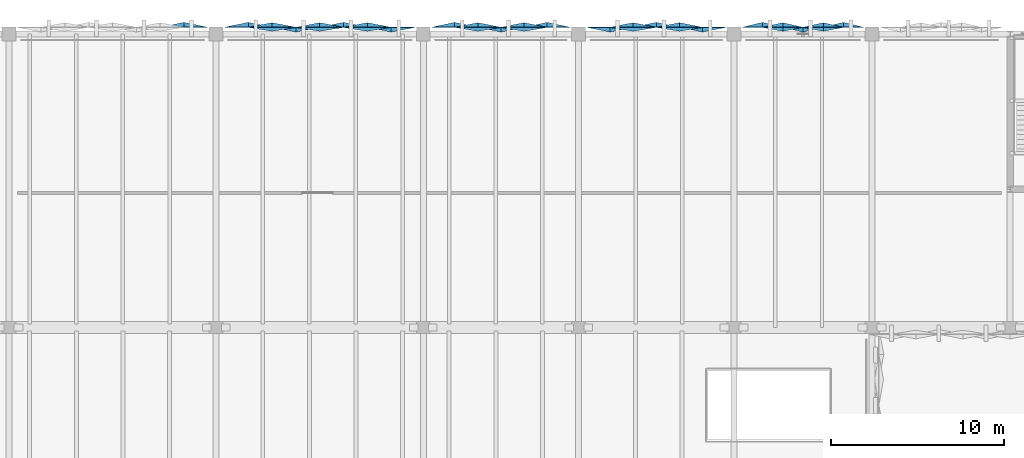
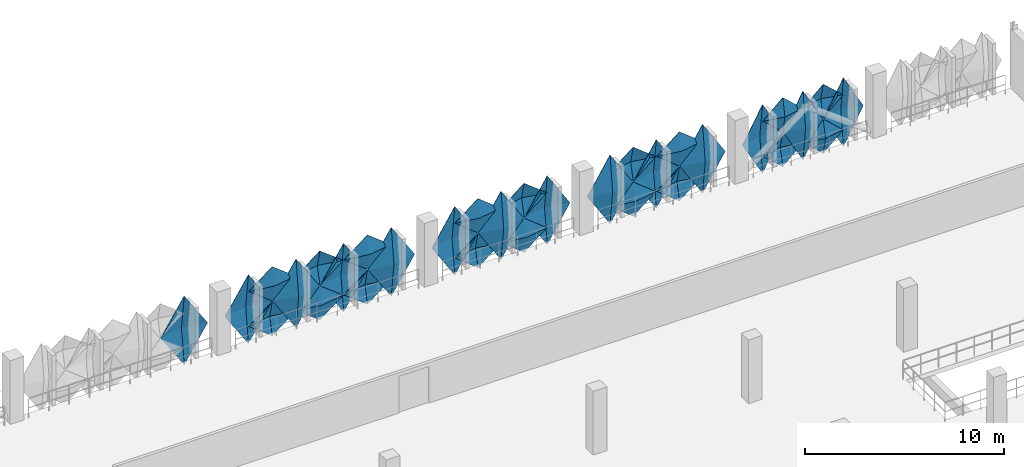
# One storey, part 80 of 96: 32 plates.
"""IFC4 building model written with IfcOpenShell, lengths in metres."""

from ifc_helpers import new_model, si_unit, derived_unit, direction, frame, origin, place, context, subcontext, project, spatial, polygons, material, layer, layer_set, type_object, element, save


model = new_model("IFC4")

# Units and contexts
model_context = context("Model", 3, precision=1e-05, world=origin(), true_north=direction((0.0, 1.0)))
body_context = subcontext(model_context, "Body", "Model", "MODEL_VIEW")
ifc_project = project(units=[si_unit("LENGTHUNIT", "METRE"), si_unit("AREAUNIT", "SQUARE_METRE"), si_unit("VOLUMEUNIT", "CUBIC_METRE"), si_unit("PLANEANGLEUNIT", "RADIAN"), si_unit("MASSUNIT", "GRAM", prefix="KILO"), si_unit("THERMODYNAMICTEMPERATUREUNIT", "KELVIN"), derived_unit("THERMALTRANSMITTANCEUNIT", [(si_unit("POWERUNIT", "WATT"), 1), (si_unit("AREAUNIT", "SQUARE_METRE"), -1), (si_unit("THERMODYNAMICTEMPERATUREUNIT", "KELVIN"), -1)])], contexts=[model_context])

# Site, building, storey
site_placement = place(None, origin())
site = spatial("IfcSite", under=ifc_project, at=site_placement, CompositionType="ELEMENT")
building_placement = place(site_placement, origin())
building = spatial("IfcBuilding", under=site, at=building_placement, Name="Haiyu Intermodal Mobility Hub", CompositionType="ELEMENT")
storey_placement = place(building_placement, frame((0.0, 0.0, 9.5)))
storey = spatial("IfcBuildingStorey", under=building, at=storey_placement, Name="L02", CompositionType="ELEMENT", Elevation=9.5)

# Plates
ifc_material = material(Name="Anodised aluminium 6063-T6", Category="aluminium")
ifc_layer_1 = layer(ifc_material, 0.01806640625)
ifc_layer_set_1 = layer_set([ifc_layer_1], Name="Anodised aluminium 6063-T6")
plate_type_1 = type_object("IfcPlateType", Name="PLT-FC01", PredefinedType="USERDEFINED", material=ifc_layer_set_1)
plate_1_placement = place(storey_placement, origin())
element("IfcPlate", 1, at=plate_1_placement, inside=storey, type_object=plate_type_1, Name="PLT-PYR-0394", ObjectType="FACADE CASSETTE", PredefinedType="USERDEFINED", context=body_context, shape_type="Tessellation", body=[
    polygons([(121.820068359375, 148.39990234375, -0.510009765625), (120.5, 148.39990234375, 1.60009765625), (121.820068359375, 148.39990234375, 3.7099609375), (123.139892578125, 148.39990234375, 1.60009765625), (121.820068359375, 148.679931640625, 1.60009765625), (121.820068359375, 148.3779296875, -0.510009765625), (120.5, 148.3779296875, 1.60009765625), (121.820068359375, 148.3779296875, 3.7099609375), (123.139892578125, 148.3779296875, 1.60009765625), (121.820068359375, 148.657958984375, 1.60009765625)], [[[1, 2, 5]], [[2, 3, 5]], [[3, 4, 5]], [[4, 1, 5]], [[7, 6, 10]], [[8, 7, 10]], [[9, 8, 10]], [[6, 9, 10]], [[1, 6, 7, 2]], [[2, 7, 8, 3]], [[3, 8, 9, 4]], [[4, 9, 6, 1]]], closed=True),
])
plate_2_placement = place(storey_placement, origin())
element("IfcPlate", 2, at=plate_2_placement, inside=storey, type_object=plate_type_1, Name="PLT-PYR-0464", ObjectType="FACADE CASSETTE", PredefinedType="USERDEFINED", context=body_context, shape_type="Tessellation", body=[
    polygons([(139.653076171875, 148.39990234375, -0.510009765625), (138.5, 148.39990234375, 1.60009765625), (139.653076171875, 148.39990234375, 3.7099609375), (140.806884765625, 148.39990234375, 1.60009765625), (139.653076171875, 148.679931640625, 1.60009765625), (139.653076171875, 148.3779296875, -0.510009765625), (138.5, 148.3779296875, 1.60009765625), (139.653076171875, 148.3779296875, 3.7099609375), (140.806884765625, 148.3779296875, 1.60009765625), (139.653076171875, 148.657958984375, 1.60009765625)], [[[1, 2, 5]], [[2, 3, 5]], [[3, 4, 5]], [[4, 1, 5]], [[7, 6, 10]], [[8, 7, 10]], [[9, 8, 10]], [[6, 9, 10]], [[1, 6, 7, 2]], [[2, 7, 8, 3]], [[3, 8, 9, 4]], [[4, 9, 6, 1]]], closed=True),
])
ifc_layer_2 = layer(ifc_material, 0.02001953125)
ifc_layer_set_2 = layer_set([ifc_layer_2], Name="Anodised aluminium 6063-T6")
plate_type_2 = type_object("IfcPlateType", Name="PLT-FC02", PredefinedType="USERDEFINED", material=ifc_layer_set_2)
plate_3_placement = place(storey_placement, origin())
element("IfcPlate", 3, at=plate_3_placement, inside=storey, type_object=plate_type_2, Name="PLT-PYR-0347", ObjectType="FACADE CASSETTE", PredefinedType="USERDEFINED", context=body_context, shape_type="Tessellation", body=[
    polygons([(112.6201171875, 148.39990234375, -0.510009765625), (111.260009765625, 148.39990234375, 1.60009765625), (112.6201171875, 148.39990234375, 3.7099609375), (113.97998046875, 148.39990234375, 1.60009765625), (112.6201171875, 148.139892578125, 1.60009765625), (112.6201171875, 148.3779296875, -0.510009765625), (111.260009765625, 148.3779296875, 1.60009765625), (112.6201171875, 148.3779296875, 3.7099609375), (113.97998046875, 148.3779296875, 1.60009765625), (112.6201171875, 148.117919921875, 1.60009765625)], [[[1, 2, 5]], [[2, 3, 5]], [[3, 4, 5]], [[4, 1, 5]], [[7, 6, 10]], [[8, 7, 10]], [[9, 8, 10]], [[6, 9, 10]], [[1, 6, 7, 2]], [[2, 7, 8, 3]], [[3, 8, 9, 4]], [[4, 9, 6, 1]]], closed=True),
])
plate_4_placement = place(storey_placement, origin())
element("IfcPlate", 4, at=plate_4_placement, inside=storey, type_object=plate_type_2, Name="PLT-PYR-0429", ObjectType="FACADE CASSETTE", PredefinedType="USERDEFINED", context=body_context, shape_type="Tessellation", body=[
    polygons([(130.820068359375, 148.39990234375, -0.510009765625), (129.5, 148.39990234375, 1.60009765625), (130.820068359375, 148.39990234375, 3.7099609375), (132.139892578125, 148.39990234375, 1.60009765625), (130.820068359375, 148.139892578125, 1.60009765625), (130.820068359375, 148.3779296875, -0.510009765625), (129.5, 148.3779296875, 1.60009765625), (130.820068359375, 148.3779296875, 3.7099609375), (132.139892578125, 148.3779296875, 1.60009765625), (130.820068359375, 148.117919921875, 1.60009765625)], [[[1, 2, 5]], [[2, 3, 5]], [[3, 4, 5]], [[4, 1, 5]], [[7, 6, 10]], [[8, 7, 10]], [[9, 8, 10]], [[6, 9, 10]], [[1, 6, 7, 2]], [[2, 7, 8, 3]], [[3, 8, 9, 4]], [[4, 9, 6, 1]]], closed=True),
])
ifc_layer_3 = layer(ifc_material, 0.01806640625)
ifc_layer_set_3 = layer_set([ifc_layer_3], Name="Anodised aluminium 6063-T6")
plate_type_3 = type_object("IfcPlateType", Name="PLT-FC03", PredefinedType="USERDEFINED", material=ifc_layer_set_3)
plate_5_placement = place(storey_placement, origin())
element("IfcPlate", 5, at=plate_5_placement, inside=storey, type_object=plate_type_3, Name="PLT-PYR-0350", ObjectType="FACADE CASSETTE", PredefinedType="USERDEFINED", context=body_context, shape_type="Tessellation", body=[
    polygons([(109.860107421875, 148.39990234375, -0.510009765625), (108.5, 148.39990234375, 1.60009765625), (109.860107421875, 148.39990234375, 3.7099609375), (111.219970703125, 148.39990234375, 1.60009765625), (109.860107421875, 148.679931640625, 1.60009765625), (109.860107421875, 148.3779296875, -0.510009765625), (108.5, 148.3779296875, 1.60009765625), (109.860107421875, 148.3779296875, 3.7099609375), (111.219970703125, 148.3779296875, 1.60009765625), (109.860107421875, 148.657958984375, 1.60009765625)], [[[1, 2, 5]], [[2, 3, 5]], [[3, 4, 5]], [[4, 1, 5]], [[7, 6, 10]], [[8, 7, 10]], [[9, 8, 10]], [[6, 9, 10]], [[1, 6, 7, 2]], [[2, 7, 8, 3]], [[3, 8, 9, 4]], [[4, 9, 6, 1]]], closed=True),
])
ifc_layer_4 = layer(ifc_material, 0.01806640625)
ifc_layer_set_4 = layer_set([ifc_layer_4], Name="Anodised aluminium 6063-T6")
plate_type_4 = type_object("IfcPlateType", Name="PLT-FC05", PredefinedType="USERDEFINED", material=ifc_layer_set_4)
plate_6_placement = place(storey_placement, origin())
element("IfcPlate", 6, at=plate_6_placement, inside=storey, type_object=plate_type_4, Name="PLT-PYR-0291", ObjectType="FACADE CASSETTE", PredefinedType="USERDEFINED", context=body_context, shape_type="Tessellation", body=[
    polygons([(106.139892578125, 148.39990234375, -0.510009765625), (104.780029296875, 148.39990234375, 1.60009765625), (106.139892578125, 148.39990234375, 3.7099609375), (107.5, 148.39990234375, 1.60009765625), (106.139892578125, 148.679931640625, 1.60009765625), (106.139892578125, 148.3779296875, -0.510009765625), (104.780029296875, 148.3779296875, 1.60009765625), (106.139892578125, 148.3779296875, 3.7099609375), (107.5, 148.3779296875, 1.60009765625), (106.139892578125, 148.657958984375, 1.60009765625)], [[[1, 2, 5]], [[2, 3, 5]], [[3, 4, 5]], [[4, 1, 5]], [[7, 6, 10]], [[8, 7, 10]], [[9, 8, 10]], [[6, 9, 10]], [[1, 6, 7, 2]], [[2, 7, 8, 3]], [[3, 8, 9, 4]], [[4, 9, 6, 1]]], closed=True),
])
plate_7_placement = place(storey_placement, origin())
element("IfcPlate", 7, at=plate_7_placement, inside=storey, type_object=plate_type_4, Name="PLT-PYR-0342", ObjectType="FACADE CASSETTE", PredefinedType="USERDEFINED", context=body_context, shape_type="Tessellation", body=[
    polygons([(116.760009765625, 148.39990234375, -0.52001953125), (115.39990234375, 148.39990234375, 0.530029296875), (116.760009765625, 148.39990234375, 1.580078125), (118.1201171875, 148.39990234375, 0.530029296875), (116.760009765625, 148.659912109375, 0.530029296875), (116.760009765625, 148.3779296875, -0.52001953125), (115.39990234375, 148.3779296875, 0.530029296875), (116.760009765625, 148.3779296875, 1.580078125), (118.1201171875, 148.3779296875, 0.530029296875), (116.760009765625, 148.637939453125, 0.530029296875)], [[[1, 2, 5]], [[2, 3, 5]], [[3, 4, 5]], [[4, 1, 5]], [[7, 6, 10]], [[8, 7, 10]], [[9, 8, 10]], [[6, 9, 10]], [[1, 6, 7, 2]], [[2, 7, 8, 3]], [[3, 8, 9, 4]], [[4, 9, 6, 1]]], closed=True),
])
plate_8_placement = place(storey_placement, origin())
element("IfcPlate", 8, at=plate_8_placement, inside=storey, type_object=plate_type_4, Name="PLT-PYR-0348", ObjectType="FACADE CASSETTE", PredefinedType="USERDEFINED", context=body_context, shape_type="Tessellation", body=[
    polygons([(111.239990234375, 148.39990234375, -0.52001953125), (109.8798828125, 148.39990234375, 0.530029296875), (111.239990234375, 148.39990234375, 1.580078125), (112.60009765625, 148.39990234375, 0.530029296875), (111.239990234375, 148.659912109375, 0.530029296875), (111.239990234375, 148.3779296875, -0.52001953125), (109.8798828125, 148.3779296875, 0.530029296875), (111.239990234375, 148.3779296875, 1.580078125), (112.60009765625, 148.3779296875, 0.530029296875), (111.239990234375, 148.637939453125, 0.530029296875)], [[[1, 2, 5]], [[2, 3, 5]], [[3, 4, 5]], [[4, 1, 5]], [[7, 6, 10]], [[8, 7, 10]], [[9, 8, 10]], [[6, 9, 10]], [[1, 6, 7, 2]], [[2, 7, 8, 3]], [[3, 8, 9, 4]], [[4, 9, 6, 1]]], closed=True),
])
plate_9_placement = place(storey_placement, origin())
element("IfcPlate", 9, at=plate_9_placement, inside=storey, type_object=plate_type_4, Name="PLT-PYR-0388", ObjectType="FACADE CASSETTE", PredefinedType="USERDEFINED", context=body_context, shape_type="Tessellation", body=[
    polygons([(127.179931640625, 148.39990234375, -0.510009765625), (125.860107421875, 148.39990234375, 1.60009765625), (127.179931640625, 148.39990234375, 3.7099609375), (128.5, 148.39990234375, 1.60009765625), (127.179931640625, 148.679931640625, 1.60009765625), (127.179931640625, 148.3779296875, -0.510009765625), (125.860107421875, 148.3779296875, 1.60009765625), (127.179931640625, 148.3779296875, 3.7099609375), (128.5, 148.3779296875, 1.60009765625), (127.179931640625, 148.657958984375, 1.60009765625)], [[[1, 2, 5]], [[2, 3, 5]], [[3, 4, 5]], [[4, 1, 5]], [[7, 6, 10]], [[8, 7, 10]], [[9, 8, 10]], [[6, 9, 10]], [[1, 6, 7, 2]], [[2, 7, 8, 3]], [[3, 8, 9, 4]], [[4, 9, 6, 1]]], closed=True),
])
plate_10_placement = place(storey_placement, origin())
element("IfcPlate", 10, at=plate_10_placement, inside=storey, type_object=plate_type_4, Name="PLT-PYR-0392", ObjectType="FACADE CASSETTE", PredefinedType="USERDEFINED", context=body_context, shape_type="Tessellation", body=[
    polygons([(123.159912109375, 148.39990234375, -0.52001953125), (121.840087890625, 148.39990234375, 0.530029296875), (123.159912109375, 148.39990234375, 1.580078125), (124.47998046875, 148.39990234375, 0.530029296875), (123.159912109375, 148.659912109375, 0.530029296875), (123.159912109375, 148.3779296875, -0.52001953125), (121.840087890625, 148.3779296875, 0.530029296875), (123.159912109375, 148.3779296875, 1.580078125), (124.47998046875, 148.3779296875, 0.530029296875), (123.159912109375, 148.637939453125, 0.530029296875)], [[[1, 2, 5]], [[2, 3, 5]], [[3, 4, 5]], [[4, 1, 5]], [[7, 6, 10]], [[8, 7, 10]], [[9, 8, 10]], [[6, 9, 10]], [[1, 6, 7, 2]], [[2, 7, 8, 3]], [[3, 8, 9, 4]], [[4, 9, 6, 1]]], closed=True),
])
plate_11_placement = place(storey_placement, origin())
element("IfcPlate", 11, at=plate_11_placement, inside=storey, type_object=plate_type_4, Name="PLT-PYR-0424", ObjectType="FACADE CASSETTE", PredefinedType="USERDEFINED", context=body_context, shape_type="Tessellation", body=[
    polygons([(134.840087890625, 148.39990234375, -0.52001953125), (133.52001953125, 148.39990234375, 0.530029296875), (134.840087890625, 148.39990234375, 1.580078125), (136.159912109375, 148.39990234375, 0.530029296875), (134.840087890625, 148.659912109375, 0.530029296875), (134.840087890625, 148.3779296875, -0.52001953125), (133.52001953125, 148.3779296875, 0.530029296875), (134.840087890625, 148.3779296875, 1.580078125), (136.159912109375, 148.3779296875, 0.530029296875), (134.840087890625, 148.637939453125, 0.530029296875)], [[[1, 2, 5]], [[2, 3, 5]], [[3, 4, 5]], [[4, 1, 5]], [[7, 6, 10]], [[8, 7, 10]], [[9, 8, 10]], [[6, 9, 10]], [[1, 6, 7, 2]], [[2, 7, 8, 3]], [[3, 8, 9, 4]], [[4, 9, 6, 1]]], closed=True),
])
plate_12_placement = place(storey_placement, origin())
element("IfcPlate", 12, at=plate_12_placement, inside=storey, type_object=plate_type_4, Name="PLT-PYR-0458", ObjectType="FACADE CASSETTE", PredefinedType="USERDEFINED", context=body_context, shape_type="Tessellation", body=[
    polygons([(144.346923828125, 148.39990234375, -0.510009765625), (143.193115234375, 148.39990234375, 1.60009765625), (144.346923828125, 148.39990234375, 3.7099609375), (145.5, 148.39990234375, 1.60009765625), (144.346923828125, 148.679931640625, 1.60009765625), (144.346923828125, 148.3779296875, -0.510009765625), (143.193115234375, 148.3779296875, 1.60009765625), (144.346923828125, 148.3779296875, 3.7099609375), (145.5, 148.3779296875, 1.60009765625), (144.346923828125, 148.657958984375, 1.60009765625)], [[[1, 2, 5]], [[2, 3, 5]], [[3, 4, 5]], [[4, 1, 5]], [[7, 6, 10]], [[8, 7, 10]], [[9, 8, 10]], [[6, 9, 10]], [[1, 6, 7, 2]], [[2, 7, 8, 3]], [[3, 8, 9, 4]], [[4, 9, 6, 1]]], closed=True),
])
plate_13_placement = place(storey_placement, origin())
element("IfcPlate", 13, at=plate_13_placement, inside=storey, type_object=plate_type_4, Name="PLT-PYR-0462", ObjectType="FACADE CASSETTE", PredefinedType="USERDEFINED", context=body_context, shape_type="Tessellation", body=[
    polygons([(140.826904296875, 148.39990234375, -0.52001953125), (139.673095703125, 148.39990234375, 0.530029296875), (140.826904296875, 148.39990234375, 1.580078125), (141.97998046875, 148.39990234375, 0.530029296875), (140.826904296875, 148.659912109375, 0.530029296875), (140.826904296875, 148.3779296875, -0.52001953125), (139.673095703125, 148.3779296875, 0.530029296875), (140.826904296875, 148.3779296875, 1.580078125), (141.97998046875, 148.3779296875, 0.530029296875), (140.826904296875, 148.637939453125, 0.530029296875)], [[[1, 2, 5]], [[2, 3, 5]], [[3, 4, 5]], [[4, 1, 5]], [[7, 6, 10]], [[8, 7, 10]], [[9, 8, 10]], [[6, 9, 10]], [[1, 6, 7, 2]], [[2, 7, 8, 3]], [[3, 8, 9, 4]], [[4, 9, 6, 1]]], closed=True),
])
ifc_layer_5 = layer(ifc_material, 0.02001953125)
ifc_layer_set_5 = layer_set([ifc_layer_5], Name="Anodised aluminium 6063-T6")
plate_type_5 = type_object("IfcPlateType", Name="PLT-FC06", PredefinedType="USERDEFINED", material=ifc_layer_set_5)
plate_14_placement = place(storey_placement, origin())
element("IfcPlate", 14, at=plate_14_placement, inside=storey, type_object=plate_type_5, Name="PLT-PYR-0341", ObjectType="FACADE CASSETTE", PredefinedType="USERDEFINED", context=body_context, shape_type="Tessellation", body=[
    polygons([(118.139892578125, 148.39990234375, -0.510009765625), (116.780029296875, 148.39990234375, 1.60009765625), (118.139892578125, 148.39990234375, 3.7099609375), (119.5, 148.39990234375, 1.60009765625), (118.139892578125, 148.139892578125, 1.60009765625), (118.139892578125, 148.3779296875, -0.510009765625), (116.780029296875, 148.3779296875, 1.60009765625), (118.139892578125, 148.3779296875, 3.7099609375), (119.5, 148.3779296875, 1.60009765625), (118.139892578125, 148.117919921875, 1.60009765625)], [[[1, 2, 5]], [[2, 3, 5]], [[3, 4, 5]], [[4, 1, 5]], [[7, 6, 10]], [[8, 7, 10]], [[9, 8, 10]], [[6, 9, 10]], [[1, 6, 7, 2]], [[2, 7, 8, 3]], [[3, 8, 9, 4]], [[4, 9, 6, 1]]], closed=True),
])
plate_15_placement = place(storey_placement, origin())
element("IfcPlate", 15, at=plate_15_placement, inside=storey, type_object=plate_type_5, Name="PLT-PYR-0345", ObjectType="FACADE CASSETTE", PredefinedType="USERDEFINED", context=body_context, shape_type="Tessellation", body=[
    polygons([(114.0, 148.39990234375, -0.52001953125), (112.639892578125, 148.39990234375, 0.530029296875), (114.0, 148.39990234375, 1.580078125), (115.360107421875, 148.39990234375, 0.530029296875), (114.0, 148.179931640625, 0.530029296875), (114.0, 148.3779296875, -0.52001953125), (112.639892578125, 148.3779296875, 0.530029296875), (114.0, 148.3779296875, 1.580078125), (115.360107421875, 148.3779296875, 0.530029296875), (114.0, 148.157958984375, 0.530029296875)], [[[1, 2, 5]], [[2, 3, 5]], [[3, 4, 5]], [[4, 1, 5]], [[7, 6, 10]], [[8, 7, 10]], [[9, 8, 10]], [[6, 9, 10]], [[1, 6, 7, 2]], [[2, 7, 8, 3]], [[3, 8, 9, 4]], [[4, 9, 6, 1]]], closed=True),
])
plate_16_placement = place(storey_placement, origin())
element("IfcPlate", 16, at=plate_16_placement, inside=storey, type_object=plate_type_5, Name="PLT-PYR-0389", ObjectType="FACADE CASSETTE", PredefinedType="USERDEFINED", context=body_context, shape_type="Tessellation", body=[
    polygons([(125.840087890625, 148.39990234375, -0.52001953125), (124.52001953125, 148.39990234375, 0.530029296875), (125.840087890625, 148.39990234375, 1.580078125), (127.159912109375, 148.39990234375, 0.530029296875), (125.840087890625, 148.179931640625, 0.530029296875), (125.840087890625, 148.3779296875, -0.52001953125), (124.52001953125, 148.3779296875, 0.530029296875), (125.840087890625, 148.3779296875, 1.580078125), (127.159912109375, 148.3779296875, 0.530029296875), (125.840087890625, 148.157958984375, 0.530029296875)], [[[1, 2, 5]], [[2, 3, 5]], [[3, 4, 5]], [[4, 1, 5]], [[7, 6, 10]], [[8, 7, 10]], [[9, 8, 10]], [[6, 9, 10]], [[1, 6, 7, 2]], [[2, 7, 8, 3]], [[3, 8, 9, 4]], [[4, 9, 6, 1]]], closed=True),
])
plate_17_placement = place(storey_placement, origin())
element("IfcPlate", 17, at=plate_17_placement, inside=storey, type_object=plate_type_5, Name="PLT-PYR-0423", ObjectType="FACADE CASSETTE", PredefinedType="USERDEFINED", context=body_context, shape_type="Tessellation", body=[
    polygons([(136.179931640625, 148.39990234375, -0.510009765625), (134.860107421875, 148.39990234375, 1.60009765625), (136.179931640625, 148.39990234375, 3.7099609375), (137.5, 148.39990234375, 1.60009765625), (136.179931640625, 148.139892578125, 1.60009765625), (136.179931640625, 148.3779296875, -0.510009765625), (134.860107421875, 148.3779296875, 1.60009765625), (136.179931640625, 148.3779296875, 3.7099609375), (137.5, 148.3779296875, 1.60009765625), (136.179931640625, 148.117919921875, 1.60009765625)], [[[1, 2, 5]], [[2, 3, 5]], [[3, 4, 5]], [[4, 1, 5]], [[7, 6, 10]], [[8, 7, 10]], [[9, 8, 10]], [[6, 9, 10]], [[1, 6, 7, 2]], [[2, 7, 8, 3]], [[3, 8, 9, 4]], [[4, 9, 6, 1]]], closed=True),
])
plate_18_placement = place(storey_placement, origin())
element("IfcPlate", 18, at=plate_18_placement, inside=storey, type_object=plate_type_5, Name="PLT-PYR-0427", ObjectType="FACADE CASSETTE", PredefinedType="USERDEFINED", context=body_context, shape_type="Tessellation", body=[
    polygons([(132.159912109375, 148.39990234375, -0.52001953125), (130.840087890625, 148.39990234375, 0.530029296875), (132.159912109375, 148.39990234375, 1.580078125), (133.47998046875, 148.39990234375, 0.530029296875), (132.159912109375, 148.179931640625, 0.530029296875), (132.159912109375, 148.3779296875, -0.52001953125), (130.840087890625, 148.3779296875, 0.530029296875), (132.159912109375, 148.3779296875, 1.580078125), (133.47998046875, 148.3779296875, 0.530029296875), (132.159912109375, 148.157958984375, 0.530029296875)], [[[1, 2, 5]], [[2, 3, 5]], [[3, 4, 5]], [[4, 1, 5]], [[7, 6, 10]], [[8, 7, 10]], [[9, 8, 10]], [[6, 9, 10]], [[1, 6, 7, 2]], [[2, 7, 8, 3]], [[3, 8, 9, 4]], [[4, 9, 6, 1]]], closed=True),
])
plate_19_placement = place(storey_placement, origin())
element("IfcPlate", 19, at=plate_19_placement, inside=storey, type_object=plate_type_5, Name="PLT-PYR-0459", ObjectType="FACADE CASSETTE", PredefinedType="USERDEFINED", context=body_context, shape_type="Tessellation", body=[
    polygons([(143.173095703125, 148.39990234375, -0.52001953125), (142.02001953125, 148.39990234375, 0.530029296875), (143.173095703125, 148.39990234375, 1.580078125), (144.326904296875, 148.39990234375, 0.530029296875), (143.173095703125, 148.179931640625, 0.530029296875), (143.173095703125, 148.3779296875, -0.52001953125), (142.02001953125, 148.3779296875, 0.530029296875), (143.173095703125, 148.3779296875, 1.580078125), (144.326904296875, 148.3779296875, 0.530029296875), (143.173095703125, 148.157958984375, 0.530029296875)], [[[1, 2, 5]], [[2, 3, 5]], [[3, 4, 5]], [[4, 1, 5]], [[7, 6, 10]], [[8, 7, 10]], [[9, 8, 10]], [[6, 9, 10]], [[1, 6, 7, 2]], [[2, 7, 8, 3]], [[3, 8, 9, 4]], [[4, 9, 6, 1]]], closed=True),
])
ifc_layer_6 = layer(ifc_material, 0.02197265625)
ifc_layer_set_6 = layer_set([ifc_layer_6], Name="Anodised aluminium 6063-T6")
plate_type_6 = type_object("IfcPlateType", Name="PLT-FC07", PredefinedType="USERDEFINED", material=ifc_layer_set_6)
plate_20_placement = place(storey_placement, origin())
element("IfcPlate", 20, at=plate_20_placement, inside=storey, type_object=plate_type_6, Name="PLT-PYR-0344", ObjectType="FACADE CASSETTE", PredefinedType="USERDEFINED", context=body_context, shape_type="Tessellation", body=[
    polygons([(115.3798828125, 148.39990234375, -0.510009765625), (114.02001953125, 148.39990234375, 1.60009765625), (115.3798828125, 148.39990234375, 3.7099609375), (116.739990234375, 148.39990234375, 1.60009765625), (115.3798828125, 148.679931640625, 1.60009765625), (115.3798828125, 148.3779296875, -0.510009765625), (114.02001953125, 148.3779296875, 1.60009765625), (115.3798828125, 148.3779296875, 3.7099609375), (116.739990234375, 148.3779296875, 1.60009765625), (115.3798828125, 148.657958984375, 1.60009765625)], [[[1, 2, 5]], [[2, 3, 5]], [[3, 4, 5]], [[4, 1, 5]], [[7, 6, 10]], [[8, 7, 10]], [[9, 8, 10]], [[6, 9, 10]], [[1, 6, 7, 2]], [[2, 7, 8, 3]], [[3, 8, 9, 4]], [[4, 9, 6, 1]]], closed=True),
])
plate_21_placement = place(storey_placement, origin())
element("IfcPlate", 21, at=plate_21_placement, inside=storey, type_object=plate_type_6, Name="PLT-PYR-0346", ObjectType="FACADE CASSETTE", PredefinedType="USERDEFINED", context=body_context, shape_type="Tessellation", body=[
    polygons([(114.0, 148.39990234375, 1.6201171875), (112.639892578125, 148.39990234375, 2.669921875), (114.0, 148.39990234375, 3.719970703125), (115.360107421875, 148.39990234375, 2.669921875), (114.0, 148.659912109375, 2.669921875), (114.0, 148.3779296875, 1.6201171875), (112.639892578125, 148.3779296875, 2.669921875), (114.0, 148.3779296875, 3.719970703125), (115.360107421875, 148.3779296875, 2.669921875), (114.0, 148.637939453125, 2.669921875)], [[[1, 2, 5]], [[2, 3, 5]], [[3, 4, 5]], [[4, 1, 5]], [[7, 6, 10]], [[8, 7, 10]], [[9, 8, 10]], [[6, 9, 10]], [[1, 6, 7, 2]], [[2, 7, 8, 3]], [[3, 8, 9, 4]], [[4, 9, 6, 1]]], closed=True),
])
plate_22_placement = place(storey_placement, origin())
element("IfcPlate", 22, at=plate_22_placement, inside=storey, type_object=plate_type_6, Name="PLT-PYR-0390", ObjectType="FACADE CASSETTE", PredefinedType="USERDEFINED", context=body_context, shape_type="Tessellation", body=[
    polygons([(125.840087890625, 148.39990234375, 1.6201171875), (124.52001953125, 148.39990234375, 2.669921875), (125.840087890625, 148.39990234375, 3.719970703125), (127.159912109375, 148.39990234375, 2.669921875), (125.840087890625, 148.659912109375, 2.669921875), (125.840087890625, 148.3779296875, 1.6201171875), (124.52001953125, 148.3779296875, 2.669921875), (125.840087890625, 148.3779296875, 3.719970703125), (127.159912109375, 148.3779296875, 2.669921875), (125.840087890625, 148.637939453125, 2.669921875)], [[[1, 2, 5]], [[2, 3, 5]], [[3, 4, 5]], [[4, 1, 5]], [[7, 6, 10]], [[8, 7, 10]], [[9, 8, 10]], [[6, 9, 10]], [[1, 6, 7, 2]], [[2, 7, 8, 3]], [[3, 8, 9, 4]], [[4, 9, 6, 1]]], closed=True),
])
plate_23_placement = place(storey_placement, origin())
element("IfcPlate", 23, at=plate_23_placement, inside=storey, type_object=plate_type_6, Name="PLT-PYR-0426", ObjectType="FACADE CASSETTE", PredefinedType="USERDEFINED", context=body_context, shape_type="Tessellation", body=[
    polygons([(133.5, 148.39990234375, -0.510009765625), (132.179931640625, 148.39990234375, 1.60009765625), (133.5, 148.39990234375, 3.7099609375), (134.820068359375, 148.39990234375, 1.60009765625), (133.5, 148.679931640625, 1.60009765625), (133.5, 148.3779296875, -0.510009765625), (132.179931640625, 148.3779296875, 1.60009765625), (133.5, 148.3779296875, 3.7099609375), (134.820068359375, 148.3779296875, 1.60009765625), (133.5, 148.657958984375, 1.60009765625)], [[[1, 2, 5]], [[2, 3, 5]], [[3, 4, 5]], [[4, 1, 5]], [[7, 6, 10]], [[8, 7, 10]], [[9, 8, 10]], [[6, 9, 10]], [[1, 6, 7, 2]], [[2, 7, 8, 3]], [[3, 8, 9, 4]], [[4, 9, 6, 1]]], closed=True),
])
plate_24_placement = place(storey_placement, origin())
element("IfcPlate", 24, at=plate_24_placement, inside=storey, type_object=plate_type_6, Name="PLT-PYR-0428", ObjectType="FACADE CASSETTE", PredefinedType="USERDEFINED", context=body_context, shape_type="Tessellation", body=[
    polygons([(132.159912109375, 148.39990234375, 1.6201171875), (130.840087890625, 148.39990234375, 2.669921875), (132.159912109375, 148.39990234375, 3.719970703125), (133.47998046875, 148.39990234375, 2.669921875), (132.159912109375, 148.659912109375, 2.669921875), (132.159912109375, 148.3779296875, 1.6201171875), (130.840087890625, 148.3779296875, 2.669921875), (132.159912109375, 148.3779296875, 3.719970703125), (133.47998046875, 148.3779296875, 2.669921875), (132.159912109375, 148.637939453125, 2.669921875)], [[[1, 2, 5]], [[2, 3, 5]], [[3, 4, 5]], [[4, 1, 5]], [[7, 6, 10]], [[8, 7, 10]], [[9, 8, 10]], [[6, 9, 10]], [[1, 6, 7, 2]], [[2, 7, 8, 3]], [[3, 8, 9, 4]], [[4, 9, 6, 1]]], closed=True),
])
plate_25_placement = place(storey_placement, origin())
element("IfcPlate", 25, at=plate_25_placement, inside=storey, type_object=plate_type_6, Name="PLT-PYR-0460", ObjectType="FACADE CASSETTE", PredefinedType="USERDEFINED", context=body_context, shape_type="Tessellation", body=[
    polygons([(143.173095703125, 148.39990234375, 1.6201171875), (142.02001953125, 148.39990234375, 2.669921875), (143.173095703125, 148.39990234375, 3.719970703125), (144.326904296875, 148.39990234375, 2.669921875), (143.173095703125, 148.659912109375, 2.669921875), (143.173095703125, 148.3779296875, 1.6201171875), (142.02001953125, 148.3779296875, 2.669921875), (143.173095703125, 148.3779296875, 3.719970703125), (144.326904296875, 148.3779296875, 2.669921875), (143.173095703125, 148.637939453125, 2.669921875)], [[[1, 2, 5]], [[2, 3, 5]], [[3, 4, 5]], [[4, 1, 5]], [[7, 6, 10]], [[8, 7, 10]], [[9, 8, 10]], [[6, 9, 10]], [[1, 6, 7, 2]], [[2, 7, 8, 3]], [[3, 8, 9, 4]], [[4, 9, 6, 1]]], closed=True),
])
ifc_layer_7 = layer(ifc_material, 0.02392578125)
ifc_layer_set_7 = layer_set([ifc_layer_7], Name="Anodised aluminium 6063-T6")
plate_type_7 = type_object("IfcPlateType", Name="PLT-FC08", PredefinedType="USERDEFINED", material=ifc_layer_set_7)
plate_26_placement = place(storey_placement, origin())
element("IfcPlate", 26, at=plate_26_placement, inside=storey, type_object=plate_type_7, Name="PLT-PYR-0343", ObjectType="FACADE CASSETTE", PredefinedType="USERDEFINED", context=body_context, shape_type="Tessellation", body=[
    polygons([(116.760009765625, 148.39990234375, 1.6201171875), (115.39990234375, 148.39990234375, 2.669921875), (116.760009765625, 148.39990234375, 3.719970703125), (118.1201171875, 148.39990234375, 2.669921875), (116.760009765625, 148.179931640625, 2.669921875), (116.760009765625, 148.3779296875, 1.6201171875), (115.39990234375, 148.3779296875, 2.669921875), (116.760009765625, 148.3779296875, 3.719970703125), (118.1201171875, 148.3779296875, 2.669921875), (116.760009765625, 148.157958984375, 2.669921875)], [[[1, 2, 5]], [[2, 3, 5]], [[3, 4, 5]], [[4, 1, 5]], [[7, 6, 10]], [[8, 7, 10]], [[9, 8, 10]], [[6, 9, 10]], [[1, 6, 7, 2]], [[2, 7, 8, 3]], [[3, 8, 9, 4]], [[4, 9, 6, 1]]], closed=True),
])
plate_27_placement = place(storey_placement, origin())
element("IfcPlate", 27, at=plate_27_placement, inside=storey, type_object=plate_type_7, Name="PLT-PYR-0349", ObjectType="FACADE CASSETTE", PredefinedType="USERDEFINED", context=body_context, shape_type="Tessellation", body=[
    polygons([(111.239990234375, 148.39990234375, 1.6201171875), (109.8798828125, 148.39990234375, 2.669921875), (111.239990234375, 148.39990234375, 3.719970703125), (112.60009765625, 148.39990234375, 2.669921875), (111.239990234375, 148.179931640625, 2.669921875), (111.239990234375, 148.3779296875, 1.6201171875), (109.8798828125, 148.3779296875, 2.669921875), (111.239990234375, 148.3779296875, 3.719970703125), (112.60009765625, 148.3779296875, 2.669921875), (111.239990234375, 148.157958984375, 2.669921875)], [[[1, 2, 5]], [[2, 3, 5]], [[3, 4, 5]], [[4, 1, 5]], [[7, 6, 10]], [[8, 7, 10]], [[9, 8, 10]], [[6, 9, 10]], [[1, 6, 7, 2]], [[2, 7, 8, 3]], [[3, 8, 9, 4]], [[4, 9, 6, 1]]], closed=True),
])
plate_28_placement = place(storey_placement, origin())
element("IfcPlate", 28, at=plate_28_placement, inside=storey, type_object=plate_type_7, Name="PLT-PYR-0391", ObjectType="FACADE CASSETTE", PredefinedType="USERDEFINED", context=body_context, shape_type="Tessellation", body=[
    polygons([(124.5, 148.39990234375, -0.510009765625), (123.179931640625, 148.39990234375, 1.60009765625), (124.5, 148.39990234375, 3.7099609375), (125.820068359375, 148.39990234375, 1.60009765625), (124.5, 148.139892578125, 1.60009765625), (124.5, 148.3779296875, -0.510009765625), (123.179931640625, 148.3779296875, 1.60009765625), (124.5, 148.3779296875, 3.7099609375), (125.820068359375, 148.3779296875, 1.60009765625), (124.5, 148.117919921875, 1.60009765625)], [[[1, 2, 5]], [[2, 3, 5]], [[3, 4, 5]], [[4, 1, 5]], [[7, 6, 10]], [[8, 7, 10]], [[9, 8, 10]], [[6, 9, 10]], [[1, 6, 7, 2]], [[2, 7, 8, 3]], [[3, 8, 9, 4]], [[4, 9, 6, 1]]], closed=True),
])
plate_29_placement = place(storey_placement, origin())
element("IfcPlate", 29, at=plate_29_placement, inside=storey, type_object=plate_type_7, Name="PLT-PYR-0393", ObjectType="FACADE CASSETTE", PredefinedType="USERDEFINED", context=body_context, shape_type="Tessellation", body=[
    polygons([(123.159912109375, 148.39990234375, 1.6201171875), (121.840087890625, 148.39990234375, 2.669921875), (123.159912109375, 148.39990234375, 3.719970703125), (124.47998046875, 148.39990234375, 2.669921875), (123.159912109375, 148.179931640625, 2.669921875), (123.159912109375, 148.3779296875, 1.6201171875), (121.840087890625, 148.3779296875, 2.669921875), (123.159912109375, 148.3779296875, 3.719970703125), (124.47998046875, 148.3779296875, 2.669921875), (123.159912109375, 148.157958984375, 2.669921875)], [[[1, 2, 5]], [[2, 3, 5]], [[3, 4, 5]], [[4, 1, 5]], [[7, 6, 10]], [[8, 7, 10]], [[9, 8, 10]], [[6, 9, 10]], [[1, 6, 7, 2]], [[2, 7, 8, 3]], [[3, 8, 9, 4]], [[4, 9, 6, 1]]], closed=True),
])
plate_30_placement = place(storey_placement, origin())
element("IfcPlate", 30, at=plate_30_placement, inside=storey, type_object=plate_type_7, Name="PLT-PYR-0425", ObjectType="FACADE CASSETTE", PredefinedType="USERDEFINED", context=body_context, shape_type="Tessellation", body=[
    polygons([(134.840087890625, 148.39990234375, 1.6201171875), (133.52001953125, 148.39990234375, 2.669921875), (134.840087890625, 148.39990234375, 3.719970703125), (136.159912109375, 148.39990234375, 2.669921875), (134.840087890625, 148.179931640625, 2.669921875), (134.840087890625, 148.3779296875, 1.6201171875), (133.52001953125, 148.3779296875, 2.669921875), (134.840087890625, 148.3779296875, 3.719970703125), (136.159912109375, 148.3779296875, 2.669921875), (134.840087890625, 148.157958984375, 2.669921875)], [[[1, 2, 5]], [[2, 3, 5]], [[3, 4, 5]], [[4, 1, 5]], [[7, 6, 10]], [[8, 7, 10]], [[9, 8, 10]], [[6, 9, 10]], [[1, 6, 7, 2]], [[2, 7, 8, 3]], [[3, 8, 9, 4]], [[4, 9, 6, 1]]], closed=True),
])
plate_31_placement = place(storey_placement, origin())
element("IfcPlate", 31, at=plate_31_placement, inside=storey, type_object=plate_type_7, Name="PLT-PYR-0461", ObjectType="FACADE CASSETTE", PredefinedType="USERDEFINED", context=body_context, shape_type="Tessellation", body=[
    polygons([(142.0, 148.39990234375, -0.510009765625), (140.846923828125, 148.39990234375, 1.60009765625), (142.0, 148.39990234375, 3.7099609375), (143.153076171875, 148.39990234375, 1.60009765625), (142.0, 148.139892578125, 1.60009765625), (142.0, 148.3779296875, -0.510009765625), (140.846923828125, 148.3779296875, 1.60009765625), (142.0, 148.3779296875, 3.7099609375), (143.153076171875, 148.3779296875, 1.60009765625), (142.0, 148.117919921875, 1.60009765625)], [[[1, 2, 5]], [[2, 3, 5]], [[3, 4, 5]], [[4, 1, 5]], [[7, 6, 10]], [[8, 7, 10]], [[9, 8, 10]], [[6, 9, 10]], [[1, 6, 7, 2]], [[2, 7, 8, 3]], [[3, 8, 9, 4]], [[4, 9, 6, 1]]], closed=True),
])
plate_32_placement = place(storey_placement, origin())
element("IfcPlate", 32, at=plate_32_placement, inside=storey, type_object=plate_type_7, Name="PLT-PYR-0463", ObjectType="FACADE CASSETTE", PredefinedType="USERDEFINED", context=body_context, shape_type="Tessellation", body=[
    polygons([(140.826904296875, 148.39990234375, 1.6201171875), (139.673095703125, 148.39990234375, 2.669921875), (140.826904296875, 148.39990234375, 3.719970703125), (141.97998046875, 148.39990234375, 2.669921875), (140.826904296875, 148.179931640625, 2.669921875), (140.826904296875, 148.3779296875, 1.6201171875), (139.673095703125, 148.3779296875, 2.669921875), (140.826904296875, 148.3779296875, 3.719970703125), (141.97998046875, 148.3779296875, 2.669921875), (140.826904296875, 148.157958984375, 2.669921875)], [[[1, 2, 5]], [[2, 3, 5]], [[3, 4, 5]], [[4, 1, 5]], [[7, 6, 10]], [[8, 7, 10]], [[9, 8, 10]], [[6, 9, 10]], [[1, 6, 7, 2]], [[2, 7, 8, 3]], [[3, 8, 9, 4]], [[4, 9, 6, 1]]], closed=True),
])

save(model, "model.ifc")
